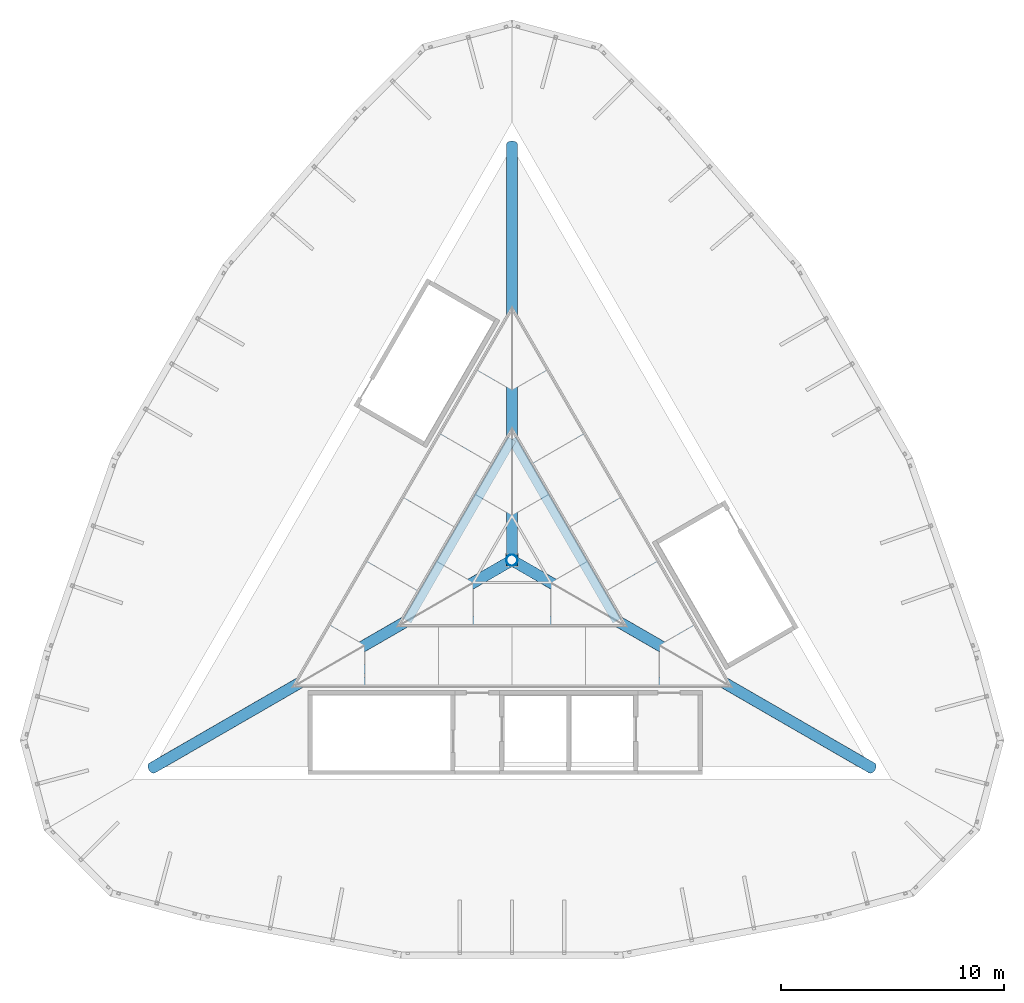
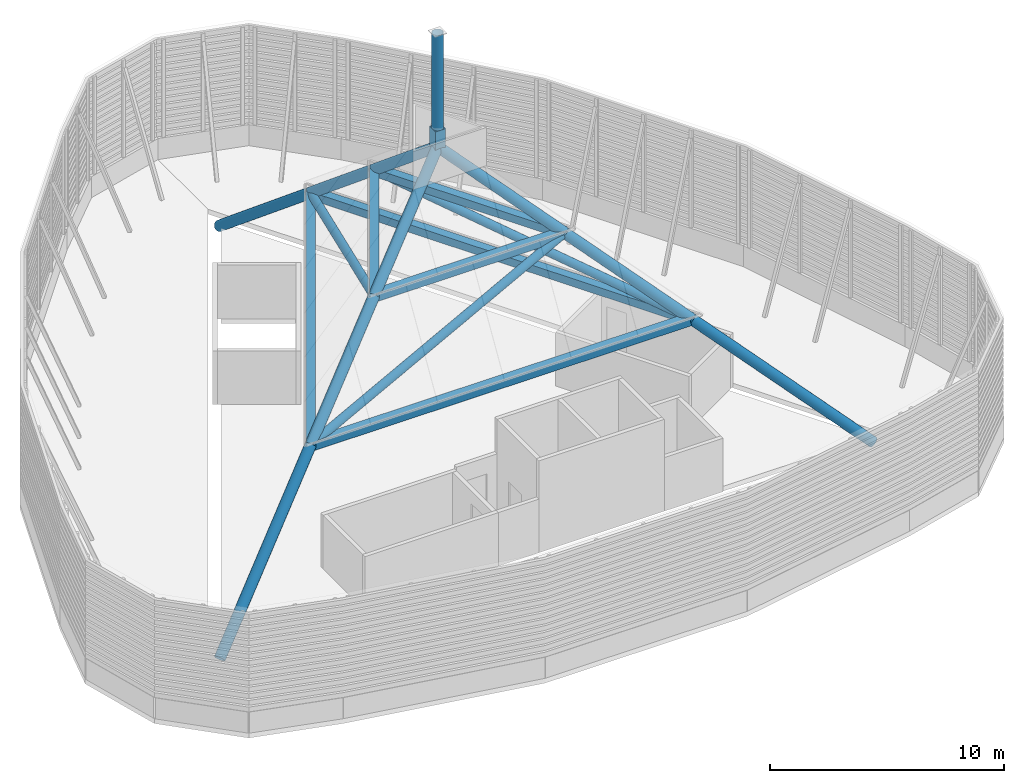
# One storey, part 1 of 6: 20 members.
"""IFC4 building model written with IfcOpenShell, lengths in metres."""

from ifc_helpers import new_model, si_unit, direction, frame, origin, origin_2d, place, context, subcontext, project, spatial, hollow_rectangle, hollow_circle, extrude, material, material_profile, profile_set, type_object, element, save


model = new_model("IFC4")

# Units and contexts
model_context = context("Model", 3, precision=1e-05, world=origin(), true_north=direction((0.0, 1.0)))
body_context = subcontext(model_context, "Body", "Model", "MODEL_VIEW")
ifc_project = project(units=[si_unit("LENGTHUNIT", "METRE"), si_unit("AREAUNIT", "SQUARE_METRE"), si_unit("VOLUMEUNIT", "CUBIC_METRE"), si_unit("PLANEANGLEUNIT", "RADIAN"), si_unit("MASSUNIT", "GRAM", prefix="KILO")], contexts=[model_context])

# Site, building, storey
site_placement = place(None, origin())
site = spatial("IfcSite", under=ifc_project, at=site_placement, CompositionType="ELEMENT")
building_placement = place(site_placement, origin())
building = spatial("IfcBuilding", under=site, at=building_placement, Name="Trikona Tower", CompositionType="ELEMENT")
storey_placement = place(building_placement, frame((0.0, 0.0, 303.800048828125)))
storey = spatial("IfcBuildingStorey", under=building, at=storey_placement, Name="RF", CompositionType="ELEMENT", Elevation=303.800048828125)

# Members
ifc_material_1 = material(Name="Steel ASTM A500 Grade C", Category="steel")
ifc_material_profile_1 = material_profile(ifc_material_1, hollow_rectangle(XDim=0.508056640625, YDim=0.508056640625, WallThickness=0.0146484375, at=origin_2d()), Name="HSS20X20X5/8")
ifc_profile_set_1 = profile_set([ifc_material_profile_1], Name="Steel ASTM A500 Grade C")
member_type_1 = type_object("IfcMemberType", Name="Spire cap HSS20x20x5/8", PredefinedType="USERDEFINED", material=ifc_profile_set_1)
member_1_placement = place(storey_placement, frame((0.0, 0.0, 15.199951171875), z_axis=(0.0, 0.0, 1.0), x_axis=(1.0, 0.0, 0.0)))
element("IfcMember", 1, at=member_1_placement, inside=storey, type_object=member_type_1, Name="Spire cap", ObjectType="SPIRE CAP", PredefinedType="USERDEFINED", context=body_context, shape_type="SweptSolid", body=[
    extrude(hollow_rectangle(XDim=0.508056640625, YDim=0.508056640625, WallThickness=0.0146484375, at=origin_2d()), origin(), (0.0, 0.0, 1.0), 1.0),
])
ifc_material_2 = material(Name="Steel ASTM A500 Grade C", Category="steel")
ifc_material_profile_2 = material_profile(ifc_material_2, hollow_circle(Radius=0.25390625, WallThickness=0.01171875, at=origin_2d()), Name="HSS20.000X0.500")
ifc_profile_set_2 = profile_set([ifc_material_profile_2], Name="Steel ASTM A500 Grade C")
member_type_2 = type_object("IfcMemberType", Name="Spire chord HSS20.000x0.500", PredefinedType="USERDEFINED", material=ifc_profile_set_2)
member_2_placement = place(storey_placement, frame((16.153564453125, -9.326416015625, -0.25), z_axis=(-0.666941850135, 0.385069460066, 0.637895037967), x_axis=(-0.500010131483, -0.866019554291, 0.0)))
element("IfcMember", 2, at=member_2_placement, inside=storey, type_object=member_type_2, Name="Spire chord 1 panel 1", ObjectType="SPIRE CHORD", PredefinedType="USERDEFINED", context=body_context, shape_type="SweptSolid", body=[
    extrude(hollow_circle(Radius=0.25390625, WallThickness=0.01171875, at=origin_2d()), origin(), (0.0, 0.0, 1.0), 10.111328125),
])
member_3_placement = place(storey_placement, frame((9.409912109375, -5.432861328125, 6.199951171875), z_axis=(-0.66695154084, 0.385075228047, 0.637881423867), x_axis=(-0.500010299859, -0.866019457076, 0.0)))
element("IfcMember", 3, at=member_3_placement, inside=storey, type_object=member_type_2, Name="Spire chord 1 panel 2", ObjectType="SPIRE CHORD", PredefinedType="USERDEFINED", context=body_context, shape_type="SweptSolid", body=[
    extrude(hollow_circle(Radius=0.25390625, WallThickness=0.01171875, at=origin_2d()), origin(), (0.0, 0.0, 1.0), 7.0546875),
])
member_4_placement = place(storey_placement, frame((4.704833984375, -2.71630859375, 10.699951171875), z_axis=(-0.666941215055, 0.385054639547, 0.637904648223), x_axis=(-0.499996055294, -0.866027681249, 0.0)))
element("IfcMember", 4, at=member_4_placement, inside=storey, type_object=member_type_2, Name="Spire chord 1 panel 3", ObjectType="SPIRE CHORD", PredefinedType="USERDEFINED", context=body_context, shape_type="SweptSolid", body=[
    extrude(hollow_circle(Radius=0.25390625, WallThickness=0.01171875, at=origin_2d()), origin(), (0.0, 0.0, 1.0), 7.054443359375),
])
member_5_placement = place(storey_placement, frame((0.0, 18.652587890625, -0.25), z_axis=(0.0, -0.77012966486, 0.637887371957), x_axis=(1.0, 0.0, 0.0)))
element("IfcMember", 5, at=member_5_placement, inside=storey, type_object=member_type_2, Name="Spire chord 2 panel 1", ObjectType="SPIRE CHORD", PredefinedType="USERDEFINED", context=body_context, shape_type="SweptSolid", body=[
    extrude(hollow_circle(Radius=0.25390625, WallThickness=0.01171875, at=origin_2d()), origin(), (0.0, 0.0, 1.0), 10.111328125),
])
member_6_placement = place(storey_placement, frame((0.0, 10.865478515625, 6.199951171875), z_axis=(0.0, -0.770112882472, 0.637907633009), x_axis=(1.0, 0.0, 0.0)))
element("IfcMember", 6, at=member_6_placement, inside=storey, type_object=member_type_2, Name="Spire chord 2 panel 2", ObjectType="SPIRE CHORD", PredefinedType="USERDEFINED", context=body_context, shape_type="SweptSolid", body=[
    extrude(hollow_circle(Radius=0.25390625, WallThickness=0.01171875, at=origin_2d()), origin(), (0.0, 0.0, 1.0), 7.05419921875),
])
member_7_placement = place(storey_placement, frame((0.0, 5.432861328125, 10.699951171875), z_axis=(0.0, -0.770126965095, 0.637890631404), x_axis=(1.0, 0.0, 0.0)))
element("IfcMember", 7, at=member_7_placement, inside=storey, type_object=member_type_2, Name="Spire chord 2 panel 3", ObjectType="SPIRE CHORD", PredefinedType="USERDEFINED", context=body_context, shape_type="SweptSolid", body=[
    extrude(hollow_circle(Radius=0.25390625, WallThickness=0.01171875, at=origin_2d()), origin(), (0.0, 0.0, 1.0), 7.054443359375),
])
member_8_placement = place(storey_placement, frame((-16.153564453125, -9.326416015625, -0.25), z_axis=(0.666941850135, 0.385069460066, 0.637895037967), x_axis=(-0.500010131483, 0.866019554291, 0.0)))
element("IfcMember", 8, at=member_8_placement, inside=storey, type_object=member_type_2, Name="Spire chord 3 panel 1", ObjectType="SPIRE CHORD", PredefinedType="USERDEFINED", context=body_context, shape_type="SweptSolid", body=[
    extrude(hollow_circle(Radius=0.25390625, WallThickness=0.01171875, at=origin_2d()), origin(), (0.0, 0.0, 1.0), 10.111328125),
])
member_9_placement = place(storey_placement, frame((-9.409912109375, -5.432861328125, 6.199951171875), z_axis=(0.66695154084, 0.385075228047, 0.637881423867), x_axis=(-0.500010299859, 0.866019457076, 0.0)))
element("IfcMember", 9, at=member_9_placement, inside=storey, type_object=member_type_2, Name="Spire chord 3 panel 2", ObjectType="SPIRE CHORD", PredefinedType="USERDEFINED", context=body_context, shape_type="SweptSolid", body=[
    extrude(hollow_circle(Radius=0.25390625, WallThickness=0.01171875, at=origin_2d()), origin(), (0.0, 0.0, 1.0), 7.0546875),
])
member_10_placement = place(storey_placement, frame((-4.704833984375, -2.71630859375, 10.699951171875), z_axis=(0.666941215055, 0.385054639547, 0.637904648223), x_axis=(-0.499996055294, 0.866027681249, 0.0)))
element("IfcMember", 10, at=member_10_placement, inside=storey, type_object=member_type_2, Name="Spire chord 3 panel 3", ObjectType="SPIRE CHORD", PredefinedType="USERDEFINED", context=body_context, shape_type="SweptSolid", body=[
    extrude(hollow_circle(Radius=0.25390625, WallThickness=0.01171875, at=origin_2d()), origin(), (0.0, 0.0, 1.0), 7.054443359375),
])
ifc_material_3 = material(Name="Steel ASTM A500 Grade C", Category="steel")
ifc_material_profile_3 = material_profile(ifc_material_3, hollow_circle(Radius=0.203125, WallThickness=0.0146484375, at=origin_2d()), Name="HSS16.000X0.625")
ifc_profile_set_3 = profile_set([ifc_material_profile_3], Name="Steel ASTM A500 Grade C")
member_type_3 = type_object("IfcMemberType", Name="Spire diagonal HSS16.000x0.625", PredefinedType="USERDEFINED", material=ifc_profile_set_3)
member_11_placement = place(storey_placement, frame((9.409912109375, -5.432861328125, 6.199951171875), z_axis=(-0.624749970748, 0.721405240851, 0.298767388653), x_axis=(-0.755931691379, -0.654650500625, 0.0)))
element("IfcMember", 11, at=member_11_placement, inside=storey, type_object=member_type_3, Name="Spire diagonal face 1", ObjectType="SPIRE DIAGONAL", PredefinedType="USERDEFINED", context=body_context, shape_type="SweptSolid", body=[
    extrude(hollow_circle(Radius=0.203125, WallThickness=0.0146484375, at=origin_2d()), origin(), (0.0, 0.0, 1.0), 15.061767578125),
])
member_12_placement = place(storey_placement, frame((0.0, 10.865478515625, 6.199951171875), z_axis=(-0.312373745506, -0.901752054187, 0.2987739545), x_axis=(0.94491193742, -0.327324656145, 0.0)))
element("IfcMember", 12, at=member_12_placement, inside=storey, type_object=member_type_3, Name="Spire diagonal face 2", ObjectType="SPIRE DIAGONAL", PredefinedType="USERDEFINED", context=body_context, shape_type="SweptSolid", body=[
    extrude(hollow_circle(Radius=0.203125, WallThickness=0.0146484375, at=origin_2d()), origin(), (0.0, 0.0, 1.0), 15.0615234375),
])
member_13_placement = place(storey_placement, frame((-9.409912109375, -5.432861328125, 6.199951171875), z_axis=(0.937126473784, 0.180361266714, 0.298770456374), x_axis=(-0.188993546062, 0.981978329469, 0.0)))
element("IfcMember", 13, at=member_13_placement, inside=storey, type_object=member_type_3, Name="Spire diagonal face 3", ObjectType="SPIRE DIAGONAL", PredefinedType="USERDEFINED", context=body_context, shape_type="SweptSolid", body=[
    extrude(hollow_circle(Radius=0.203125, WallThickness=0.0146484375, at=origin_2d()), origin(), (0.0, 0.0, 1.0), 15.061767578125),
])
ifc_material_4 = material(Name="Steel ASTM A500 Grade C", Category="steel")
ifc_material_profile_4 = material_profile(ifc_material_4, hollow_circle(Radius=0.25390625, WallThickness=0.01171875, at=origin_2d()), Name="HSS20.000X0.500")
ifc_profile_set_4 = profile_set([ifc_material_profile_4], Name="Steel ASTM A500 Grade C")
member_type_4 = type_object("IfcMemberType", Name="Spire mast HSS20.000x0.500", PredefinedType="USERDEFINED", material=ifc_profile_set_4)
member_14_placement = place(storey_placement, frame((0.0, 0.0, 16.199951171875), z_axis=(0.0, 0.0, 1.0), x_axis=(1.0, 0.0, 0.0)))
element("IfcMember", 14, at=member_14_placement, inside=storey, type_object=member_type_4, Name="Spire mast", ObjectType="SPIRE MAST", PredefinedType="USERDEFINED", context=body_context, shape_type="SweptSolid", body=[
    extrude(hollow_circle(Radius=0.25390625, WallThickness=0.01171875, at=origin_2d()), origin(), (0.0, 0.0, 1.0), 4.97509765625),
])
ifc_material_5 = material(Name="Steel ASTM A500 Grade C", Category="steel")
ifc_material_profile_5 = material_profile(ifc_material_5, hollow_rectangle(XDim=0.406494140625, YDim=0.406494140625, WallThickness=0.0146484375, at=origin_2d()), Name="HSS16X16X5/8")
ifc_profile_set_5 = profile_set([ifc_material_profile_5], Name="Steel ASTM A500 Grade C")
member_type_5 = type_object("IfcMemberType", Name="Spire ring HSS16x16x5/8", PredefinedType="USERDEFINED", material=ifc_profile_set_5)
for number, where, z_axis, x_axis, name in (
    (15, (9.409912109375, -5.432861328125, 6.199951171875), (-0.500002439455, 0.86602399536, 0.0), (-0.86602399536, -0.500002439455, 0.0), "Spire ring 1 side 1"),
    (16, (0.0, 10.865478515625, 6.199951171875), (-0.500002439455, -0.86602399536, 0.0), (0.86602399536, -0.500002439455, 0.0), "Spire ring 1 side 2"),
    (17, (-9.409912109375, -5.432861328125, 6.199951171875), (1.0, 0.0, 0.0), (0.0, 1.0, 0.0), "Spire ring 1 side 3"),
):
    element("IfcMember", number, at=place(storey_placement, frame(where, z_axis=z_axis, x_axis=x_axis)), inside=storey, type_object=member_type_5, Name=name, ObjectType="SPIRE RING", PredefinedType="USERDEFINED", context=body_context, shape_type="SweptSolid", body=[
        extrude(hollow_rectangle(XDim=0.406494140625, YDim=0.406494140625, WallThickness=0.0146484375, at=origin_2d()), origin(), (0.0, 0.0, 1.0), 18.81982421875),
    ])
for number, where, z_axis, x_axis, name in (
    (18, (4.704833984375, -2.71630859375, 10.699951171875), (-0.499992709952, 0.866029612655, 0.0), (-0.866029612655, -0.499992709952, 0.0), "Spire ring 2 side 1"),
    (19, (0.0, 5.432861328125, 10.699951171875), (-0.499992709952, -0.866029612655, 0.0), (0.866029612655, -0.499992709952, 0.0), "Spire ring 2 side 2"),
):
    element("IfcMember", number, at=place(storey_placement, frame(where, z_axis=z_axis, x_axis=x_axis)), inside=storey, type_object=member_type_5, Name=name, ObjectType="SPIRE RING", PredefinedType="USERDEFINED", context=body_context, shape_type="SweptSolid", body=[
        extrude(hollow_rectangle(XDim=0.406494140625, YDim=0.406494140625, WallThickness=0.0146484375, at=origin_2d()), origin(), (0.0, 0.0, 1.0), 9.409912109375),
    ])
member_15_placement = place(storey_placement, frame((-4.704833984375, -2.71630859375, 10.699951171875), z_axis=(1.0, 0.0, 0.0), x_axis=(0.0, 1.0, 0.0)))
element("IfcMember", 20, at=member_15_placement, inside=storey, type_object=member_type_5, Name="Spire ring 2 side 3", ObjectType="SPIRE RING", PredefinedType="USERDEFINED", context=body_context, shape_type="SweptSolid", body=[
    extrude(hollow_rectangle(XDim=0.406494140625, YDim=0.406494140625, WallThickness=0.0146484375, at=origin_2d()), origin(), (0.0, 0.0, 1.0), 9.40966796875),
])

save(model, "model.ifc")
